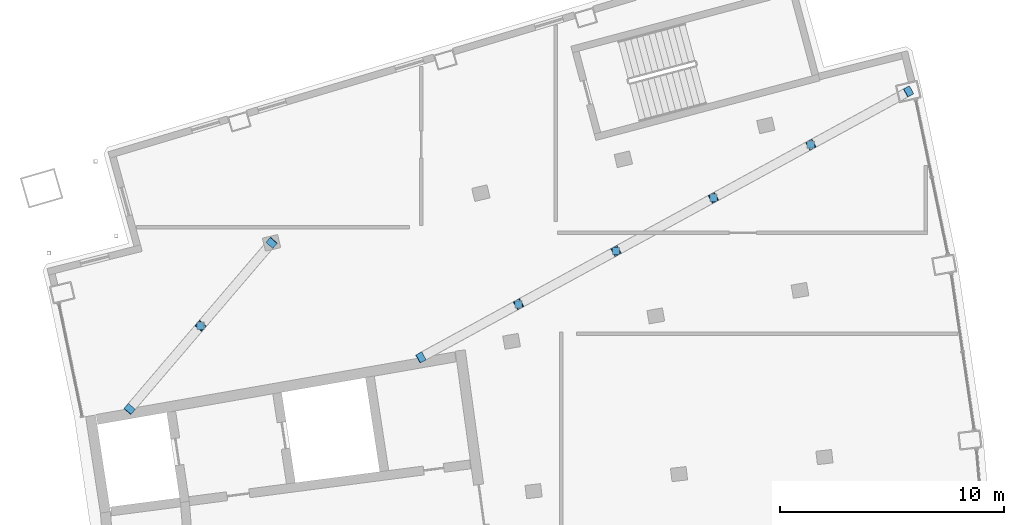
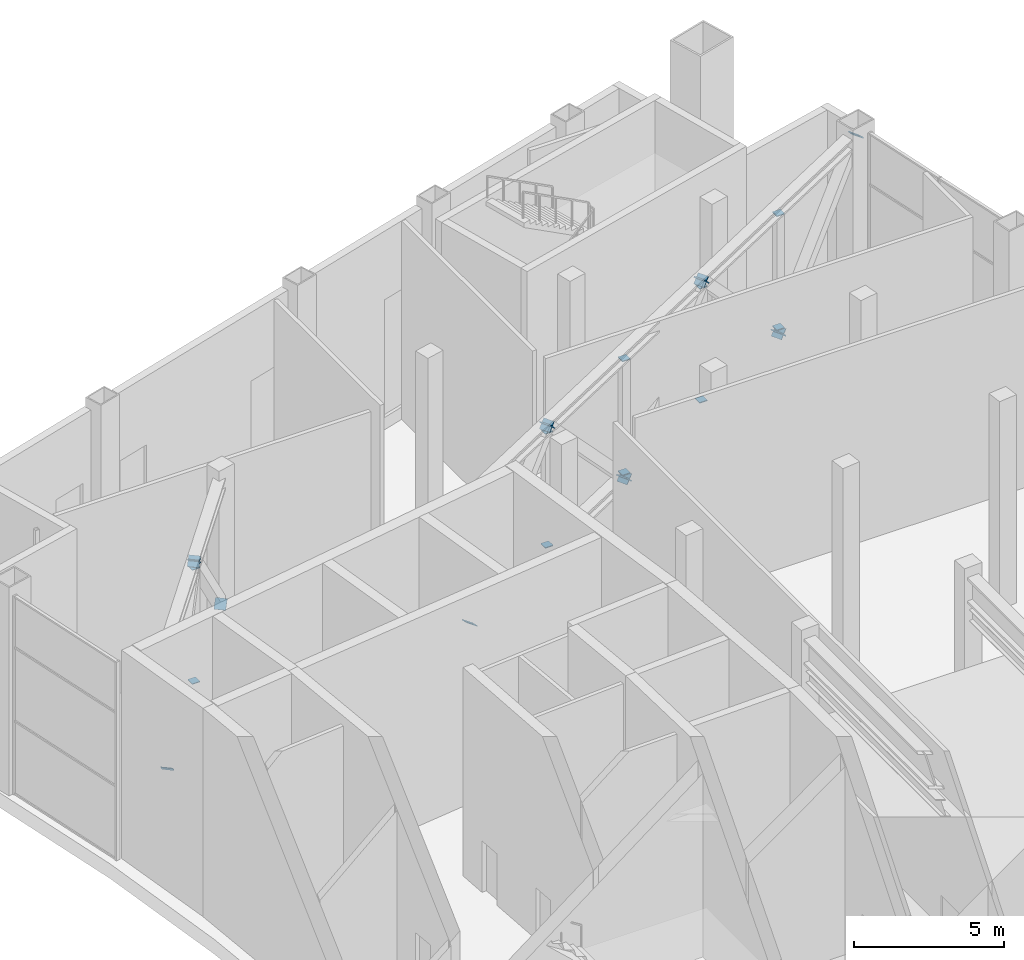
# One storey, part 22 of 25: 24 discrete accessories.
"""IFC4 building model written with IfcOpenShell, lengths in metres."""

from ifc_helpers import new_model, si_unit, direction, frame, origin, origin_2d, place, context, subcontext, project, spatial, rectangle, extrude, material, material_profile, profile_set, type_object, element, save


model = new_model("IFC4")

# Units and contexts
model_context = context("Model", 3, precision=1e-05, world=origin(), true_north=direction((0.0, 1.0)))
body_context = subcontext(model_context, "Body", "Model", "MODEL_VIEW")
ifc_project = project(units=[si_unit("LENGTHUNIT", "METRE"), si_unit("AREAUNIT", "SQUARE_METRE"), si_unit("VOLUMEUNIT", "CUBIC_METRE"), si_unit("PLANEANGLEUNIT", "RADIAN"), si_unit("MASSUNIT", "GRAM", prefix="KILO")], contexts=[model_context])

# Site, building, storey
site_placement = place(None, origin())
site = spatial("IfcSite", under=ifc_project, at=site_placement, CompositionType="ELEMENT")
building_placement = place(site_placement, origin())
building = spatial("IfcBuilding", under=site, at=building_placement, Name="Alderwake Tower", CompositionType="ELEMENT")
storey_placement = place(building_placement, frame((0.0, 0.0, 296.0)))
storey = spatial("IfcBuildingStorey", under=building, at=storey_placement, Name="L73", CompositionType="ELEMENT", Elevation=296.0)

# Discrete accessories
ifc_material_1 = material(Name="Steel ASTM A572 Grade 50", Category="steel")
ifc_material_profile_1 = material_profile(ifc_material_1, rectangle(XDim=0.3046875, YDim=0.3046875, at=origin_2d()), Name="HSS12X12X1/2 cap")
ifc_profile_set_1 = profile_set([ifc_material_profile_1], Name="Steel ASTM A572 Grade 50")
discrete_accessory_type_1 = type_object("IfcDiscreteAccessoryType", Name="End cap plate HSS12X12X1/2", PredefinedType="USERDEFINED", material=ifc_profile_set_1)
discrete_accessory_1_placement = place(storey_placement, frame((20.15869140625, 81.852783203125, 3.0146484375), z_axis=(0.0, 0.0, -1.0), x_axis=(1.0, 0.0, 0.0)))
element("IfcDiscreteAccessory", 1, at=discrete_accessory_1_placement, inside=storey, type_object=discrete_accessory_type_1, Name="End cap DT73NR.P1 S", ObjectType="END CAP", PredefinedType="USERDEFINED", context=body_context, shape_type="SweptSolid", body=[
    extrude(rectangle(XDim=0.3046875, YDim=0.3046875, at=origin_2d()), origin(), (0.0, 0.0, 1.0), 0.030029296875),
])
discrete_accessory_2_placement = place(storey_placement, frame((20.15869140625, 81.852783203125, 7.635498046875), z_axis=(0.0, 0.0, 1.0), x_axis=(1.0, 0.0, 0.0)))
element("IfcDiscreteAccessory", 2, at=discrete_accessory_2_placement, inside=storey, type_object=discrete_accessory_type_1, Name="End cap DT73NR.P1 N", ObjectType="END CAP", PredefinedType="USERDEFINED", context=body_context, shape_type="SweptSolid", body=[
    extrude(rectangle(XDim=0.3046875, YDim=0.3046875, at=origin_2d()), origin(), (0.0, 0.0, 1.0), 0.02978515625),
])
discrete_accessory_3_placement = place(storey_placement, frame((34.34130859375, 82.81982421875, 3.0146484375), z_axis=(0.0, 0.0, -1.0), x_axis=(1.0, 0.0, 0.0)))
element("IfcDiscreteAccessory", 3, at=discrete_accessory_3_placement, inside=storey, type_object=discrete_accessory_type_1, Name="End cap DT73NF.P1 S", ObjectType="END CAP", PredefinedType="USERDEFINED", context=body_context, shape_type="SweptSolid", body=[
    extrude(rectangle(XDim=0.3046875, YDim=0.3046875, at=origin_2d()), origin(), (0.0, 0.0, 1.0), 0.030029296875),
])
discrete_accessory_4_placement = place(storey_placement, frame((34.34130859375, 82.81982421875, 7.635498046875), z_axis=(0.0, 0.0, 1.0), x_axis=(1.0, 0.0, 0.0)))
element("IfcDiscreteAccessory", 4, at=discrete_accessory_4_placement, inside=storey, type_object=discrete_accessory_type_1, Name="End cap DT73NF.P1 N", ObjectType="END CAP", PredefinedType="USERDEFINED", context=body_context, shape_type="SweptSolid", body=[
    extrude(rectangle(XDim=0.3046875, YDim=0.3046875, at=origin_2d()), origin(), (0.0, 0.0, 1.0), 0.02978515625),
])
discrete_accessory_5_placement = place(storey_placement, frame((38.688720703125, 85.191650390625, 3.0146484375), z_axis=(0.0, 0.0, -1.0), x_axis=(1.0, 0.0, 0.0)))
element("IfcDiscreteAccessory", 5, at=discrete_accessory_5_placement, inside=storey, type_object=discrete_accessory_type_1, Name="End cap DT73NF.P2 S", ObjectType="END CAP", PredefinedType="USERDEFINED", context=body_context, shape_type="SweptSolid", body=[
    extrude(rectangle(XDim=0.3046875, YDim=0.3046875, at=origin_2d()), origin(), (0.0, 0.0, 1.0), 0.030029296875),
])
discrete_accessory_6_placement = place(storey_placement, frame((38.688720703125, 85.191650390625, 7.635498046875), z_axis=(0.0, 0.0, 1.0), x_axis=(1.0, 0.0, 0.0)))
element("IfcDiscreteAccessory", 6, at=discrete_accessory_6_placement, inside=storey, type_object=discrete_accessory_type_1, Name="End cap DT73NF.P2 N", ObjectType="END CAP", PredefinedType="USERDEFINED", context=body_context, shape_type="SweptSolid", body=[
    extrude(rectangle(XDim=0.3046875, YDim=0.3046875, at=origin_2d()), origin(), (0.0, 0.0, 1.0), 0.02978515625),
])
discrete_accessory_7_placement = place(storey_placement, frame((43.0361328125, 87.563720703125, 3.0146484375), z_axis=(0.0, 0.0, -1.0), x_axis=(1.0, 0.0, 0.0)))
element("IfcDiscreteAccessory", 7, at=discrete_accessory_7_placement, inside=storey, type_object=discrete_accessory_type_1, Name="End cap DT73NF.P3 S", ObjectType="END CAP", PredefinedType="USERDEFINED", context=body_context, shape_type="SweptSolid", body=[
    extrude(rectangle(XDim=0.3046875, YDim=0.3046875, at=origin_2d()), origin(), (0.0, 0.0, 1.0), 0.030029296875),
])
discrete_accessory_8_placement = place(storey_placement, frame((43.0361328125, 87.563720703125, 7.635498046875), z_axis=(0.0, 0.0, 1.0), x_axis=(1.0, 0.0, 0.0)))
element("IfcDiscreteAccessory", 8, at=discrete_accessory_8_placement, inside=storey, type_object=discrete_accessory_type_1, Name="End cap DT73NF.P3 N", ObjectType="END CAP", PredefinedType="USERDEFINED", context=body_context, shape_type="SweptSolid", body=[
    extrude(rectangle(XDim=0.3046875, YDim=0.3046875, at=origin_2d()), origin(), (0.0, 0.0, 1.0), 0.02978515625),
])
discrete_accessory_9_placement = place(storey_placement, frame((47.38330078125, 89.935546875, 3.0146484375), z_axis=(0.0, 0.0, -1.0), x_axis=(1.0, 0.0, 0.0)))
element("IfcDiscreteAccessory", 9, at=discrete_accessory_9_placement, inside=storey, type_object=discrete_accessory_type_1, Name="End cap DT73NF.P4 S", ObjectType="END CAP", PredefinedType="USERDEFINED", context=body_context, shape_type="SweptSolid", body=[
    extrude(rectangle(XDim=0.3046875, YDim=0.3046875, at=origin_2d()), origin(), (0.0, 0.0, 1.0), 0.030029296875),
])
discrete_accessory_10_placement = place(storey_placement, frame((47.38330078125, 89.935546875, 7.635498046875), z_axis=(0.0, 0.0, 1.0), x_axis=(1.0, 0.0, 0.0)))
element("IfcDiscreteAccessory", 10, at=discrete_accessory_10_placement, inside=storey, type_object=discrete_accessory_type_1, Name="End cap DT73NF.P4 N", ObjectType="END CAP", PredefinedType="USERDEFINED", context=body_context, shape_type="SweptSolid", body=[
    extrude(rectangle(XDim=0.3046875, YDim=0.3046875, at=origin_2d()), origin(), (0.0, 0.0, 1.0), 0.02978515625),
])
ifc_material_2 = material(Name="Steel ASTM A572 Grade 50", Category="steel")
ifc_material_profile_2 = material_profile(ifc_material_2, rectangle(XDim=0.406494140625, YDim=0.406494140625, at=origin_2d()), Name="HSS16X16X5/8 cap")
ifc_profile_set_2 = profile_set([ifc_material_profile_2], Name="Steel ASTM A572 Grade 50")
discrete_accessory_type_2 = type_object("IfcDiscreteAccessoryType", Name="End cap plate HSS16X16X5/8", PredefinedType="USERDEFINED", material=ifc_profile_set_2)
for number, where, z_axis, x_axis, name in (
    (11, (16.99560546875, 78.149658203125, 2.7822265625), (-0.446535082447, -0.527723279256, -0.722574951597), (0.763386285369, -0.645942241466, 0.0), "End cap DT73NR.D1 S"),
    (12, (20.15869140625, 81.852783203125, 7.86767578125), (0.454923859937, 0.519912982785, 0.723003991685), (-0.752576694707, 0.658504607869, 0.0), "End cap DT73NR.D1 N"),
    (13, (23.322021484375, 85.555908203125, 2.7822265625), (0.454923859937, 0.519912982785, -0.723003991685), (-0.752576694707, 0.658504607869, 0.0), "End cap DT73NR.D2 S"),
    (14, (20.15869140625, 81.852783203125, 7.86767578125), (-0.446535082447, -0.527723279256, 0.722574951597), (0.763386285369, -0.645942241466, 0.0), "End cap DT73NR.D2 N"),
    (15, (29.993896484375, 80.447998046875, 2.7822265625), (-0.611354359454, -0.334207049835, -0.717322448427), (0.47967161867, -0.877448082933, 0.0), "End cap DT73NF.D1 S"),
    (16, (34.34130859375, 82.81982421875, 7.86767578125), (0.611354359454, 0.334207049835, 0.717322448427), (-0.47967161867, 0.877448082933, 0.0), "End cap DT73NF.D1 N"),
    (17, (38.688720703125, 85.191650390625, 2.7822265625), (0.611354359454, 0.334207049835, -0.717322448427), (-0.47967161867, 0.877448082933, 0.0), "End cap DT73NF.D2 S"),
    (18, (34.34130859375, 82.81982421875, 7.86767578125), (-0.611354359454, -0.334207049835, 0.717322448427), (0.47967161867, -0.877448082933, 0.0), "End cap DT73NF.D2 N"),
    (19, (38.688720703125, 85.191650390625, 2.7822265625), (-0.611354359454, -0.334207049835, -0.717322448427), (0.47967161867, -0.877448082933, 0.0), "End cap DT73NF.D3 S"),
):
    element("IfcDiscreteAccessory", number, at=place(storey_placement, frame(where, z_axis=z_axis, x_axis=x_axis)), inside=storey, type_object=discrete_accessory_type_2, Name=name, ObjectType="END CAP", PredefinedType="USERDEFINED", context=body_context, shape_type="SweptSolid", body=[
        extrude(rectangle(XDim=0.406494140625, YDim=0.406494140625, at=origin_2d()), origin(), (0.0, 0.0, 1.0), 0.030029296875),
    ])
discrete_accessory_11_placement = place(storey_placement, frame((43.0361328125, 87.563720703125, 7.86767578125), z_axis=(0.613006203055, 0.326936641629, 0.719260611584), x_axis=(-0.470588235294, 0.882352941176, 0.0)))
element("IfcDiscreteAccessory", 20, at=discrete_accessory_11_placement, inside=storey, type_object=discrete_accessory_type_2, Name="End cap DT73NF.D3 N", ObjectType="END CAP", PredefinedType="USERDEFINED", context=body_context, shape_type="SweptSolid", body=[
    extrude(rectangle(XDim=0.406494140625, YDim=0.406494140625, at=origin_2d()), origin(), (0.0, 0.0, 1.0), 0.02978515625),
])
for number, where, z_axis, x_axis, name in (
    (21, (47.38330078125, 89.935546875, 2.7822265625), (0.61642112362, 0.332542974584, -0.713750774718), (-0.47479024257, 0.880098986228, 0.0), "End cap DT73NF.D4 S"),
    (22, (43.0361328125, 87.563720703125, 7.86767578125), (-0.61642112362, -0.332542974584, 0.713750774718), (0.47479024257, -0.880098986228, 0.0), "End cap DT73NF.D4 N"),
    (23, (47.38330078125, 89.935546875, 2.7822265625), (-0.611354359454, -0.334207049835, -0.717322448427), (0.47967161867, -0.877448082933, 0.0), "End cap DT73NF.D5 S"),
    (24, (51.730712890625, 92.307373046875, 7.86767578125), (0.61642112362, 0.332542974584, 0.713750774718), (-0.47479024257, 0.880098986228, 0.0), "End cap DT73NF.D5 N"),
):
    element("IfcDiscreteAccessory", number, at=place(storey_placement, frame(where, z_axis=z_axis, x_axis=x_axis)), inside=storey, type_object=discrete_accessory_type_2, Name=name, ObjectType="END CAP", PredefinedType="USERDEFINED", context=body_context, shape_type="SweptSolid", body=[
        extrude(rectangle(XDim=0.406494140625, YDim=0.406494140625, at=origin_2d()), origin(), (0.0, 0.0, 1.0), 0.030029296875),
    ])

save(model, "model.ifc")
